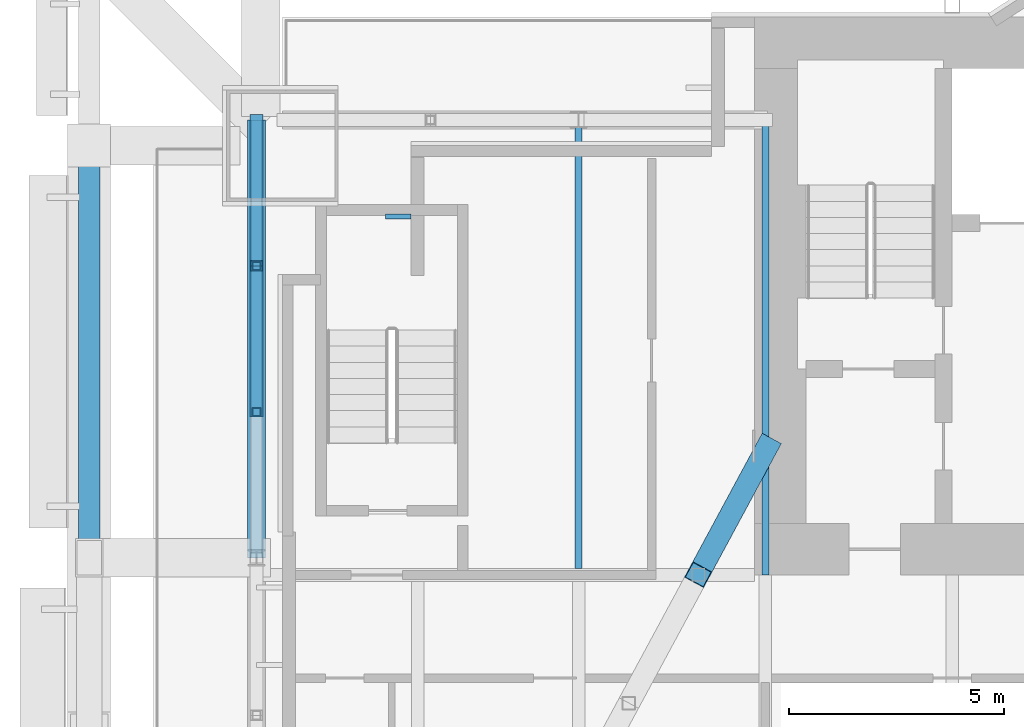
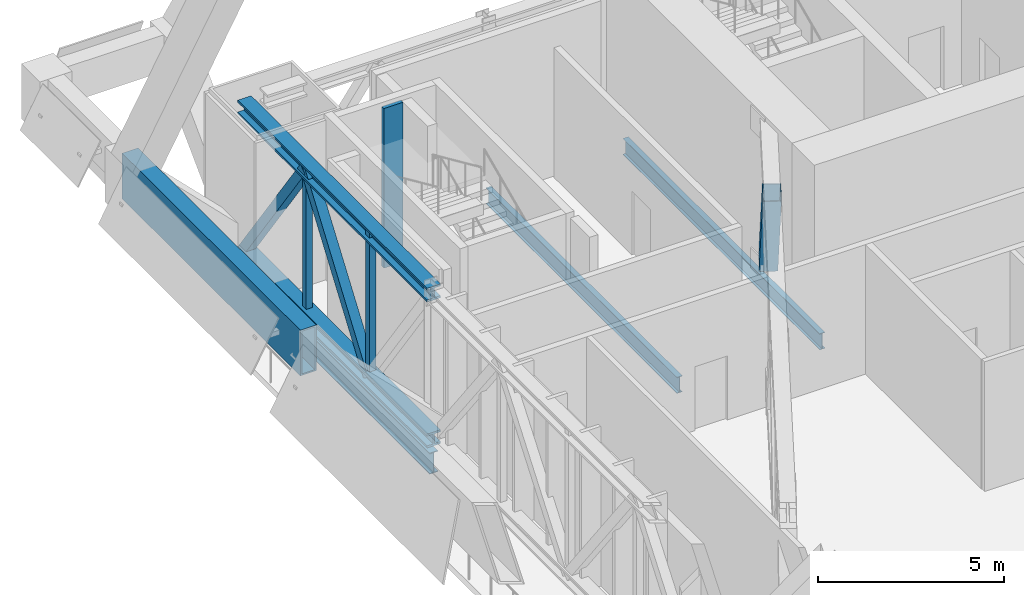
# One storey, part 9 of 30: 8 members, 4 beams, 1 element without a shape of its own.
"""IFC4 building model written with IfcOpenShell, lengths in metres."""

from ifc_helpers import new_model, si_unit, direction, frame, origin, origin_2d, place, context, subcontext, project, spatial, rectangle, hollow_rectangle, i_section, extrude, material, material_profile, profile_set, type_object, element, aggregate, save


model = new_model("IFC4")

# Units and contexts
model_context = context("Model", 3, precision=1e-05, world=origin(), true_north=direction((0.0, 1.0)))
body_context = subcontext(model_context, "Body", "Model", "MODEL_VIEW")
ifc_project = project(units=[si_unit("LENGTHUNIT", "METRE"), si_unit("AREAUNIT", "SQUARE_METRE"), si_unit("VOLUMEUNIT", "CUBIC_METRE"), si_unit("PLANEANGLEUNIT", "RADIAN"), si_unit("MASSUNIT", "GRAM", prefix="KILO")], contexts=[model_context])

# Site, building, storey
site_placement = place(None, origin())
site = spatial("IfcSite", under=ifc_project, at=site_placement, CompositionType="ELEMENT")
building_placement = place(site_placement, origin())
building = spatial("IfcBuilding", under=site, at=building_placement, Name="Bicima Exchange Tower", CompositionType="ELEMENT")
storey_placement = place(building_placement, frame((0.0, 0.0, 185.5)))
storey = spatial("IfcBuildingStorey", under=building, at=storey_placement, Name="L41", CompositionType="ELEMENT", Elevation=185.5)

# Curtain wall, member
ifc_material_1 = material(Name="Anodised bronze aluminium", Category="aluminium")
curtain_wall_type = type_object("IfcCurtainWallType", Name="Band blade screen", PredefinedType="NOTDEFINED", material=ifc_material_1)
curtain_wall_placement = place(storey_placement, origin())
curtain_wall = element("IfcCurtainWall", 1, at=curtain_wall_placement, inside=storey, type_object=curtain_wall_type, Name="Band blade screen L41", PredefinedType="NOTDEFINED")
ifc_material_profile_1 = material_profile(ifc_material_1, rectangle(XDim=0.60009765625, YDim=0.1201171875, at=origin_2d()))
ifc_profile_set_1 = profile_set([ifc_material_profile_1], Name="Anodised bronze aluminium")
member_type_1 = type_object("IfcMemberType", Name="Band blade fin 600 x 120", PredefinedType="USERDEFINED", material=ifc_profile_set_1)
member_1_placement = place(storey_placement, frame((-30.300048828125, -4.64990234375, 0.0), z_axis=(0.0, 0.0, 1.0), x_axis=(1.0, 0.0, 0.0)))
member_1 = element("IfcMember", 2, at=member_1_placement, type_object=member_type_1, Name="Band blade fin 12", ObjectType="FIN", PredefinedType="USERDEFINED", context=body_context, shape_type="SweptSolid", body=[
    extrude(rectangle(XDim=0.60009765625, YDim=0.1201171875, at=origin_2d()), origin(), (0.0, 0.0, 1.0), 5.25),
])
aggregate(curtain_wall, [member_1])

# Beam
ifc_material_2 = material(Name="Steel ASTM A572 Gr 50", Category="steel")
ifc_material_profile_2 = material_profile(ifc_material_2, hollow_rectangle(XDim=0.5, YDim=1.5, WallThickness=0.050048828125, at=origin_2d()))
ifc_profile_set_2 = profile_set([ifc_material_profile_2], Name="Steel ASTM A572 Gr 50")
beam_type_1 = type_object("IfcBeamType", Name="Belt girder BOX 500x1500x50", PredefinedType="BEAM", material=ifc_profile_set_2)
beam_1_placement = place(storey_placement, frame((-37.5, -3.0, 4.5), z_axis=(0.0, -1.0, 0.0), x_axis=(1.0, 0.0, 0.0)))
element("IfcBeam", 3, at=beam_1_placement, inside=storey, type_object=beam_type_1, Name="Belt girder", PredefinedType="BEAM", context=body_context, shape_type="SweptSolid", body=[
    extrude(hollow_rectangle(XDim=0.5, YDim=1.5, WallThickness=0.050048828125, at=origin_2d()), origin(), (0.0, 0.0, 1.0), 9.60009765625),
])

# Members
ifc_material_3 = material(Name="Steel ASTM A992 Gr 50", Category="steel")
ifc_material_profile_3 = material_profile(ifc_material_3, i_section(OverallWidth=0.419189453125, OverallDepth=0.45458984375, WebThickness=0.042236328125, FlangeThickness=0.067626953125, at=origin_2d()))
ifc_profile_set_3 = profile_set([ifc_material_profile_3], Name="Steel ASTM A992 Gr 50")
member_type_2 = type_object("IfcMemberType", Name="Belt truss chord W14x370", PredefinedType="CHORD", material=ifc_profile_set_3)
for number, where, z_axis, x_axis, name in (
    (4, (-33.60009765625, -2.39990234375, 5.022705078125), (0.0, -1.0, 0.0), (1.0, 0.0, 0.0), "Top chord"),
    (5, (-33.60009765625, -2.39990234375, 0.227294921875), (0.0, -1.0, 0.0), (1.0, 0.0, 0.0), "Bottom chord"),
):
    element("IfcMember", number, at=place(storey_placement, frame(where, z_axis=z_axis, x_axis=x_axis)), inside=storey, type_object=member_type_2, Name=name, PredefinedType="CHORD", context=body_context, shape_type="SweptSolid", body=[
        extrude(i_section(OverallWidth=0.419189453125, OverallDepth=0.45458984375, WebThickness=0.042236328125, FlangeThickness=0.067626953125, at=origin_2d()), origin(), (0.0, 0.0, 1.0), 10.2001953125),
    ])
ifc_material_profile_4 = material_profile(ifc_material_2, hollow_rectangle(XDim=0.3046875, YDim=0.3046875, WallThickness=0.01171875, at=origin_2d()))
ifc_profile_set_4 = profile_set([ifc_material_profile_4], Name="Steel ASTM A572 Gr 50")
member_type_3 = type_object("IfcMemberType", Name="Belt truss diagonal HSS12x12x1/2", PredefinedType="STRUT", material=ifc_profile_set_4)
for number, where, z_axis, x_axis, name in (
    (6, (-33.60009765625, -2.39990234375, 0.227294921875), (0.0, -0.578402146369, 0.815751774179), (1.0, 0.0, 0.0), "Truss diagonal"),
    (7, (-33.60009765625, -5.800048828125, 5.022705078125), (0.0, -0.578374508534, -0.815771369857), (1.0, 0.0, 0.0), "Truss diagonal"),
):
    element("IfcMember", number, at=place(storey_placement, frame(where, z_axis=z_axis, x_axis=x_axis)), inside=storey, type_object=member_type_3, Name=name, PredefinedType="STRUT", context=body_context, shape_type="SweptSolid", body=[
        extrude(hollow_rectangle(XDim=0.3046875, YDim=0.3046875, WallThickness=0.01171875, at=origin_2d()), origin(), (0.0, 0.0, 1.0), 5.87841796875),
    ])
ifc_material_profile_5 = material_profile(ifc_material_2, hollow_rectangle(XDim=0.203125, YDim=0.203125, WallThickness=0.01171875, at=origin_2d()))
ifc_profile_set_5 = profile_set([ifc_material_profile_5], Name="Steel ASTM A572 Gr 50")
member_type_4 = type_object("IfcMemberType", Name="Belt truss post HSS8x8x1/2", PredefinedType="POST", material=ifc_profile_set_5)
for number, where, z_axis, x_axis, name in (
    (8, (-33.60009765625, -5.800048828125, 0.227294921875), (0.0, 0.0, 1.0), (1.0, 0.0, 0.0), "Truss post"),
    (9, (-33.60009765625, -9.199951171875, 0.227294921875), (0.0, 0.0, 1.0), (1.0, 0.0, 0.0), "Truss post"),
):
    element("IfcMember", number, at=place(storey_placement, frame(where, z_axis=z_axis, x_axis=x_axis)), inside=storey, type_object=member_type_4, Name=name, PredefinedType="POST", context=body_context, shape_type="SweptSolid", body=[
        extrude(hollow_rectangle(XDim=0.203125, YDim=0.203125, WallThickness=0.01171875, at=origin_2d()), origin(), (0.0, 0.0, 1.0), 4.79541015625),
    ])

# Beams
ifc_material_profile_6 = material_profile(ifc_material_3, i_section(OverallWidth=0.256591796875, OverallDepth=0.693359375, WebThickness=0.014404296875, FlangeThickness=0.023681640625, at=origin_2d()))
ifc_profile_set_6 = profile_set([ifc_material_profile_6], Name="Steel ASTM A992 Gr 50")
beam_type_2 = type_object("IfcBeamType", Name="End girder W27x114", PredefinedType="BEAM", material=ifc_profile_set_6)
beam_2_placement = place(storey_placement, frame((-33.60009765625, -2.39990234375, -0.546630859375), z_axis=(0.0, -1.0, 0.0), x_axis=(1.0, 0.0, 0.0)))
element("IfcBeam", 10, at=beam_2_placement, inside=storey, type_object=beam_type_2, Name="End girder", PredefinedType="BEAM", context=body_context, shape_type="SweptSolid", body=[
    extrude(i_section(OverallWidth=0.256591796875, OverallDepth=0.693359375, WebThickness=0.014404296875, FlangeThickness=0.023681640625, at=origin_2d()), origin(), (0.0, 0.0, 1.0), 10.2001953125),
])
ifc_material_profile_7 = material_profile(ifc_material_3, i_section(OverallWidth=0.165771484375, OverallDepth=0.5283203125, WebThickness=0.009765625, FlangeThickness=0.013671875, at=origin_2d()))
ifc_profile_set_7 = profile_set([ifc_material_profile_7], Name="Steel ASTM A992 Gr 50")
beam_type_3 = type_object("IfcBeamType", Name="Floor beam W21x50", PredefinedType="JOIST", material=ifc_profile_set_7)
beam_3_placement = place(storey_placement, frame((-26.10009765625, -2.5625, -0.464111328125), z_axis=(0.0, -1.0, 0.0), x_axis=(1.0, 0.0, 0.0)))
element("IfcBeam", 11, at=beam_3_placement, inside=storey, type_object=beam_type_3, Name="Floor beam", PredefinedType="JOIST", context=body_context, shape_type="SweptSolid", body=[
    extrude(i_section(OverallWidth=0.165771484375, OverallDepth=0.5283203125, WebThickness=0.009765625, FlangeThickness=0.013671875, at=origin_2d()), origin(), (0.0, 0.0, 1.0), 10.28515625),
])
beam_4_placement = place(storey_placement, frame((-21.75, -2.39990234375, -0.464111328125), z_axis=(0.0, -1.0, 0.0), x_axis=(1.0, 0.0, 0.0)))
element("IfcBeam", 12, at=beam_4_placement, inside=storey, type_object=beam_type_3, Name="Floor beam", PredefinedType="JOIST", context=body_context, shape_type="SweptSolid", body=[
    extrude(i_section(OverallWidth=0.165771484375, OverallDepth=0.5283203125, WebThickness=0.009765625, FlangeThickness=0.013671875, at=origin_2d()), origin(), (0.0, 0.0, 1.0), 10.60009765625),
])

# Member
ifc_material_profile_8 = material_profile(ifc_material_2, hollow_rectangle(XDim=0.508056640625, YDim=0.508056640625, WallThickness=0.017822265625, at=origin_2d()))
ifc_profile_set_8 = profile_set([ifc_material_profile_8], Name="Steel ASTM A572 Gr 50")
member_type_5 = type_object("IfcMemberType", Name="Outrigger truss diagonal HSS20x20x3/4", PredefinedType="STRUT", material=ifc_profile_set_8)
member_2_placement = place(storey_placement, frame((-21.699951171875, -10.0, 0.284423828125), z_axis=(-0.279041416533, -0.517062225555, 0.80918634613), x_axis=(0.880027890758, -0.474922005688, 0.0)))
element("IfcMember", 13, at=member_2_placement, inside=storey, type_object=member_type_5, Name="Truss diagonal", PredefinedType="STRUT", context=body_context, shape_type="SweptSolid", body=[
    extrude(hollow_rectangle(XDim=0.508056640625, YDim=0.508056640625, WallThickness=0.017822265625, at=origin_2d()), origin(), (0.0, 0.0, 1.0), 5.784912109375),
])

save(model, "model.ifc")
